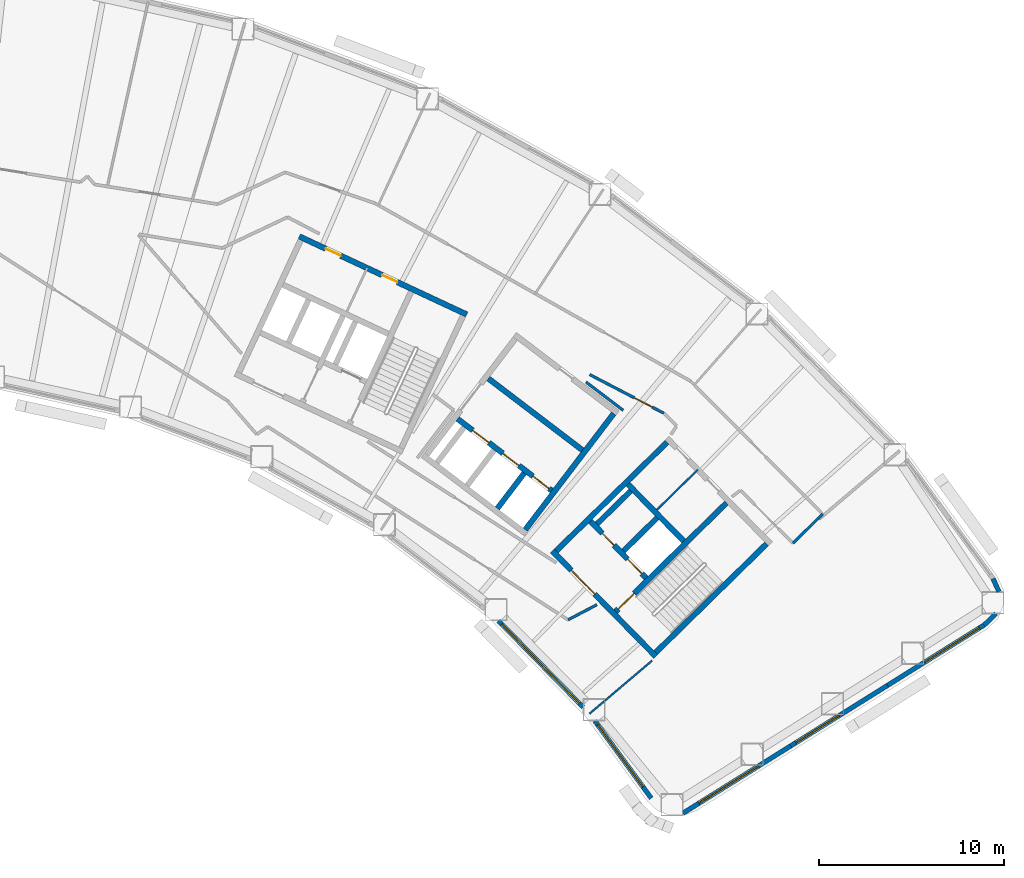
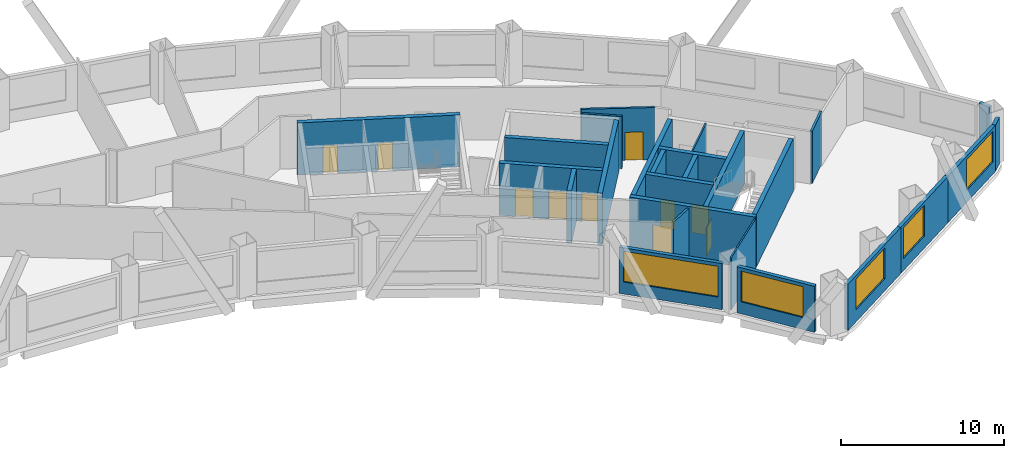
# One storey, part 7 of 12: 26 walls, 10 doors, 5 windows, 15 openings.
"""IFC4 building model written with IfcOpenShell, lengths in metres."""

from ifc_helpers import new_model, si_unit, direction, frame, frame_2d, origin, place, context, subcontext, project, spatial, rectangle, extrude, material, layer, layer_set, type_object, element, fill, save


model = new_model("IFC4")

# Units and contexts
model_context = context("Model", 3, precision=1e-05, world=origin(), true_north=direction((0.0, 1.0)))
body_context = subcontext(model_context, "Body", "Model", "MODEL_VIEW")
ifc_project = project(units=[si_unit("LENGTHUNIT", "METRE"), si_unit("AREAUNIT", "SQUARE_METRE"), si_unit("VOLUMEUNIT", "CUBIC_METRE"), si_unit("PLANEANGLEUNIT", "RADIAN"), si_unit("MASSUNIT", "GRAM", prefix="KILO")], contexts=[model_context])

# Site, building, storey
site_placement = place(None, origin())
site = spatial("IfcSite", under=ifc_project, at=site_placement, CompositionType="ELEMENT")
building_placement = place(site_placement, origin())
building = spatial("IfcBuilding", under=site, at=building_placement, Name="Tuul Gate Civic Tower", CompositionType="ELEMENT")
storey_placement = place(building_placement, frame((0.0, 0.0, 73.800048828125)))
storey = spatial("IfcBuildingStorey", under=building, at=storey_placement, Name="Level 16", CompositionType="ELEMENT", Elevation=73.800048828125)

# Wall, opening, door
ifc_material_1 = material(Name="Concrete C50/60", Category="concrete")
ifc_layer_1 = layer(ifc_material_1, 0.300048828125)
ifc_layer_set_1 = layer_set([ifc_layer_1], Name="Concrete C50/60")
wall_type_1 = type_object("IfcWallType", Name="Core wall C50/60", PredefinedType="SHEAR", material=ifc_layer_set_1)
wall_1_placement = place(storey_placement, frame((48.22509765625, -18.327880859375, 0.0), z_axis=(0.0, 0.0, 1.0), x_axis=(-0.700021979774, 0.714121297703, 0.0)))
wall_1 = element("IfcWall", 1, at=wall_1_placement, inside=storey, type_object=wall_type_1, Name="Core wall", PredefinedType="SHEAR", context=body_context, shape_type="SweptSolid", body=[
    extrude(rectangle(XDim=8.0, YDim=0.300048828125, at=frame_2d((4.0, 0.0))), origin(), (0.0, 0.0, 1.0), 3.89990234375),
])
opening_1_placement = place(wall_1_placement, frame((4.72509765625, 0.0, 0.0)))
opening_1 = element("IfcOpeningElement", 2, at=opening_1_placement, cuts=wall_1, Name="Opening LB-E1-LOBBY-1", PredefinedType="OPENING", context=body_context, shape_type="SweptSolid", body=[
    extrude(rectangle(XDim=1.800048828125, YDim=2.10009765625, at=frame_2d((0.89990234375, 1.050048828125))), frame((0.0, 0.16015625, 0.0), z_axis=(0.0, -1.0, 0.0), x_axis=(1.0, 0.0, 0.0)), (0.0, 0.0, 1.0), 0.320068359375),
])
ifc_material_2 = material(Name="Steel", Category="steel")
door_type_1 = type_object("IfcDoorType", Name="Lobby door", OperationType="DOUBLE_DOOR_SINGLE_SWING", PredefinedType="DOOR", material=ifc_material_2)
door_1_placement = place(opening_1_placement, frame((1.800048828125, 0.0, 0.0), z_axis=(0.0, 0.0, 1.0), x_axis=(-1.0, 0.0, 0.0)))
door_1 = element("IfcDoor", 3, at=door_1_placement, inside=storey, type_object=door_type_1, Name="Lobby door E1-LOBBY", OperationType="DOUBLE_DOOR_SINGLE_SWING", OverallHeight=2.10009765625, OverallWidth=1.800048828125, PredefinedType="DOOR", context=body_context, shape_type="SweptSolid", body=[
    extrude(rectangle(XDim=1.800048828125, YDim=2.10009765625, at=frame_2d((0.900146484375, 1.050048828125))), frame((0.0, 0.02490234375, 0.0), z_axis=(0.0, -1.0, 0.0), x_axis=(1.0, 0.0, 0.0)), (0.0, 0.0, 1.0), 0.050048828125),
])
fill(opening_1, door_1)

# Wall, openings, doors
wall_2_placement = place(storey_placement, frame((47.701904296875, -14.079833984375, 0.0), z_axis=(0.0, 0.0, 1.0), x_axis=(-0.700002721075, 0.714140175657, 0.0)))
wall_2 = element("IfcWall", 4, at=wall_2_placement, inside=storey, type_object=wall_type_1, Name="Core wall", PredefinedType="SHEAR", context=body_context, shape_type="SweptSolid", body=[
    extrude(rectangle(XDim=4.300048828125, YDim=0.300048828125, at=frame_2d((2.14990234375, 0.0))), origin(), (0.0, 0.0, 1.0), 3.89990234375),
])
opening_2_placement = place(wall_2_placement, frame((0.324951171875, 0.0, 0.0)))
opening_2 = element("IfcOpeningElement", 5, at=opening_2_placement, cuts=wall_2, Name="Opening LD-L4", PredefinedType="OPENING", context=body_context, shape_type="SweptSolid", body=[
    extrude(rectangle(XDim=1.10009765625, YDim=2.10009765625, at=frame_2d((0.550048828125, 1.050048828125))), frame((0.0, 0.16015625, 0.0), z_axis=(0.0, -1.0, 0.0), x_axis=(1.0, 0.0, 0.0)), (0.0, 0.0, 1.0), 0.320068359375),
])
opening_3_placement = place(wall_2_placement, frame((2.47509765625, 0.0, 0.0)))
opening_3 = element("IfcOpeningElement", 6, at=opening_3_placement, cuts=wall_2, Name="Opening FB-E1A2", PredefinedType="OPENING", context=body_context, shape_type="SweptSolid", body=[
    extrude(rectangle(XDim=0.89990234375, YDim=2.10009765625, at=frame_2d((0.449951171875, 1.050048828125))), frame((0.0, 0.16015625, 0.0), z_axis=(0.0, -1.0, 0.0), x_axis=(1.0, 0.0, 0.0)), (0.0, 0.0, 1.0), 0.320068359375),
])
ifc_material_3 = material(Name="Stainless steel", Category="steel")
door_type_2 = type_object("IfcDoorType", Name="Landing door", OperationType="DOUBLE_DOOR_SLIDING", PredefinedType="DOOR", material=ifc_material_3)
door_2_placement = place(opening_2_placement, origin())
door_2 = element("IfcDoor", 7, at=door_2_placement, inside=storey, type_object=door_type_2, Name="Low-rise lift L4 landing door", OperationType="DOUBLE_DOOR_SLIDING", OverallHeight=2.10009765625, OverallWidth=1.10009765625, PredefinedType="DOOR", context=body_context, shape_type="SweptSolid", body=[
    extrude(rectangle(XDim=1.10009765625, YDim=2.10009765625, at=frame_2d((0.550048828125, 1.050048828125))), frame((0.0, 0.02490234375, 0.0), z_axis=(0.0, -1.0, 0.0), x_axis=(1.0, 0.0, 0.0)), (0.0, 0.0, 1.0), 0.050048828125),
])
fill(opening_2, door_2)
ifc_material_4 = material(Name="Steel", Category="steel")
door_type_3 = type_object("IfcDoorType", Name="Store door", OperationType="NOTDEFINED", PredefinedType="DOOR", material=ifc_material_4)
door_3_placement = place(opening_3_placement, frame((0.89990234375, 0.0, 0.0), z_axis=(0.0, 0.0, 1.0), x_axis=(-1.0, 0.0, 0.0)))
door_3 = element("IfcDoor", 8, at=door_3_placement, inside=storey, type_object=door_type_3, Name="Store door E1A2", OperationType="SINGLE_SWING_LEFT", OverallHeight=2.10009765625, OverallWidth=0.89990234375, PredefinedType="DOOR", context=body_context, shape_type="SweptSolid", body=[
    extrude(rectangle(XDim=0.89990234375, YDim=2.10009765625, at=frame_2d((0.449951171875, 1.050048828125))), frame((0.0, 0.02490234375, 0.0), z_axis=(0.0, -1.0, 0.0), x_axis=(1.0, 0.0, 0.0)), (0.0, 0.0, 1.0), 0.050048828125),
])
fill(opening_3, door_3)

# Walls
wall_3_placement = place(storey_placement, frame((49.737060546875, -12.0849609375, 0.0), z_axis=(0.0, 0.0, 1.0), x_axis=(-0.700002721075, 0.714140175657, 0.0)))
element("IfcWall", 9, at=wall_3_placement, inside=storey, type_object=wall_type_1, Name="Core wall", PredefinedType="SHEAR", context=body_context, shape_type="SweptSolid", body=[
    extrude(rectangle(XDim=4.300048828125, YDim=0.300048828125, at=frame_2d((2.14990234375, 0.0))), origin(), (0.0, 0.0, 1.0), 3.89990234375),
])
wall_4_placement = place(storey_placement, frame((48.227294921875, -18.115966796875, 0.0), z_axis=(0.0, 0.0, 1.0), x_axis=(0.714105315431, 0.700038283577, 0.0)))
element("IfcWall", 10, at=wall_4_placement, inside=storey, type_object=wall_type_1, Name="Core wall", PredefinedType="SHEAR", context=body_context, shape_type="SweptSolid", body=[
    extrude(rectangle(XDim=8.400146484375, YDim=0.300048828125, at=frame_2d((4.2001953125, 0.0))), origin(), (0.0, 0.0, 1.0), 3.89990234375),
])

# Wall, opening, door
wall_5_placement = place(storey_placement, frame((46.05712890625, -15.902099609375, 0.0), z_axis=(0.0, 0.0, 1.0), x_axis=(0.714134086973, 0.700008932674, 0.0)))
wall_5 = element("IfcWall", 11, at=wall_5_placement, inside=storey, type_object=wall_type_1, Name="Core wall", PredefinedType="SHEAR", context=body_context, shape_type="SweptSolid", body=[
    extrude(rectangle(XDim=8.400146484375, YDim=0.300048828125, at=frame_2d((4.2001953125, 0.0))), origin(), (0.0, 0.0, 1.0), 3.89990234375),
])
opening_4_placement = place(wall_5_placement, frame((0.199951171875, 0.0, 0.0)))
opening_4 = element("IfcOpeningElement", 12, at=opening_4_placement, cuts=wall_5, Name="Opening SD-ST-3", PredefinedType="OPENING", context=body_context, shape_type="SweptSolid", body=[
    extrude(rectangle(XDim=1.199951171875, YDim=2.10009765625, at=frame_2d((0.60009765625, 1.050048828125))), frame((0.0, 0.16015625, 0.0), z_axis=(0.0, -1.0, 0.0), x_axis=(1.0, 0.0, 0.0)), (0.0, 0.0, 1.0), 0.320068359375),
])
ifc_material_5 = material(Name="Steel", Category="steel")
door_type_4 = type_object("IfcDoorType", Name="Stair door", OperationType="NOTDEFINED", PredefinedType="DOOR", material=ifc_material_5)
door_4_placement = place(opening_4_placement, origin())
door_4 = element("IfcDoor", 13, at=door_4_placement, inside=storey, type_object=door_type_4, Name="Stair door ST-3", OperationType="SINGLE_SWING_LEFT", OverallHeight=2.10009765625, OverallWidth=1.199951171875, PredefinedType="DOOR", context=body_context, shape_type="SweptSolid", body=[
    extrude(rectangle(XDim=1.199951171875, YDim=2.10009765625, at=frame_2d((0.60009765625, 1.050048828125))), frame((0.0, 0.02490234375, 0.0), z_axis=(0.0, -1.0, 0.0), x_axis=(1.0, 0.0, 0.0)), (0.0, 0.0, 1.0), 0.050048828125),
])
fill(opening_4, door_4)

# Walls
wall_6_placement = place(storey_placement, frame((46.47900390625, -12.617919921875, 0.0), z_axis=(0.0, 0.0, 1.0), x_axis=(0.71410944159, 0.700034074479, 0.0)))
element("IfcWall", 14, at=wall_6_placement, inside=storey, type_object=wall_type_1, Name="Core wall", PredefinedType="SHEAR", context=body_context, shape_type="SweptSolid", body=[
    extrude(rectangle(XDim=2.5498046875, YDim=0.300048828125, at=frame_2d((1.27490234375, 0.0))), origin(), (0.0, 0.0, 1.0), 3.89990234375),
])
wall_7_placement = place(storey_placement, frame((45.0439453125, -11.154052734375, 0.0), z_axis=(0.0, 0.0, 1.0), x_axis=(0.714108498262, 0.700035036773, 0.0)))
element("IfcWall", 15, at=wall_7_placement, inside=storey, type_object=wall_type_1, Name="Core wall", PredefinedType="SHEAR", context=body_context, shape_type="SweptSolid", body=[
    extrude(rectangle(XDim=2.550048828125, YDim=0.300048828125, at=frame_2d((1.27490234375, 0.0))), origin(), (0.0, 0.0, 1.0), 3.89990234375),
])
wall_8_placement = place(storey_placement, frame((42.837158203125, -12.616943359375, 0.0), z_axis=(0.0, 0.0, 1.0), x_axis=(0.714119844755, 0.700023461983, 0.0)))
element("IfcWall", 16, at=wall_8_placement, inside=storey, type_object=wall_type_1, Name="Core wall", PredefinedType="SHEAR", context=body_context, shape_type="SweptSolid", body=[
    extrude(rectangle(XDim=8.39990234375, YDim=0.300048828125, at=frame_2d((4.199951171875, 0.0))), origin(), (0.0, 0.0, 1.0), 3.89990234375),
])

# Wall, openings, doors
wall_9_placement = place(storey_placement, frame((37.993408203125, 0.181884765625, 0.0), z_axis=(0.0, 0.0, 1.0), x_axis=(-0.906310338845, 0.422612789327, 0.0)))
wall_9 = element("IfcWall", 17, at=wall_9_placement, inside=storey, type_object=wall_type_1, Name="Core wall", PredefinedType="SHEAR", context=body_context, shape_type="SweptSolid", body=[
    extrude(rectangle(XDim=9.999755859375, YDim=0.300048828125, at=frame_2d((5.0, 0.0))), origin(), (0.0, 0.0, 1.0), 3.89990234375),
])
opening_5_placement = place(wall_9_placement, frame((4.14990234375, 0.0, 0.0)))
opening_5 = element("IfcOpeningElement", 18, at=opening_5_placement, cuts=wall_9, Name="Opening E-D41", PredefinedType="OPENING", context=body_context, shape_type="SweptSolid", body=[
    extrude(rectangle(XDim=0.89990234375, YDim=2.10009765625, at=frame_2d((0.449951171875, 1.050048828125))), frame((0.0, 0.16015625, 0.0), z_axis=(0.0, -1.0, 0.0), x_axis=(1.0, 0.0, 0.0)), (0.0, 0.0, 1.0), 0.320068359375),
])
opening_6_placement = place(wall_9_placement, frame((7.52490234375, 0.0, 0.0)))
opening_6 = element("IfcOpeningElement", 19, at=opening_6_placement, cuts=wall_9, Name="Opening E-D42", PredefinedType="OPENING", context=body_context, shape_type="SweptSolid", body=[
    extrude(rectangle(XDim=0.89990234375, YDim=2.10009765625, at=frame_2d((0.449951171875, 1.050048828125))), frame((0.0, 0.16015625, 0.0), z_axis=(0.0, -1.0, 0.0), x_axis=(1.0, 0.0, 0.0)), (0.0, 0.0, 1.0), 0.320068359375),
])
ifc_material_6 = material(Name="Timber door leaf", Category="wood")
door_type_5 = type_object("IfcDoorType", Name="Door D09", OperationType="NOTDEFINED", PredefinedType="DOOR", material=ifc_material_6)
door_5_placement = place(opening_5_placement, origin())
door_5 = element("IfcDoor", 20, at=door_5_placement, inside=storey, type_object=door_type_5, Name="Door E-D41", OperationType="SINGLE_SWING_LEFT", OverallHeight=2.10009765625, OverallWidth=0.89990234375, PredefinedType="DOOR", context=body_context, shape_type="SweptSolid", body=[
    extrude(rectangle(XDim=0.89990234375, YDim=2.10009765625, at=frame_2d((0.449951171875, 1.050048828125))), frame((0.0, 0.02490234375, 0.0), z_axis=(0.0, -1.0, 0.0), x_axis=(1.0, 0.0, 0.0)), (0.0, 0.0, 1.0), 0.050048828125),
])
fill(opening_5, door_5)
door_6_placement = place(opening_6_placement, origin())
door_6 = element("IfcDoor", 21, at=door_6_placement, inside=storey, type_object=door_type_5, Name="Door E-D42", OperationType="SINGLE_SWING_RIGHT", OverallHeight=2.10009765625, OverallWidth=0.89990234375, PredefinedType="DOOR", context=body_context, shape_type="SweptSolid", body=[
    extrude(rectangle(XDim=0.89990234375, YDim=2.10009765625, at=frame_2d((0.449951171875, 1.050048828125))), frame((0.0, 0.02490234375, 0.0), z_axis=(0.0, -1.0, 0.0), x_axis=(1.0, 0.0, 0.0)), (0.0, 0.0, 1.0), 0.050048828125),
])
fill(opening_6, door_6)

# Walls
ifc_material_7 = material(Name="Gypsum board partition")
ifc_layer_2 = layer(ifc_material_7, 0.14990234375)
ifc_layer_set_2 = layer_set([ifc_layer_2], Name="Gypsum board partition")
wall_type_2 = type_object("IfcWallType", Name="Corridor wall P150", PredefinedType="PARTITIONING", material=ifc_layer_set_2)
wall_10_placement = place(storey_placement, frame((55.658935546875, -12.204833984375, 0.0), z_axis=(0.0, 0.0, 1.0), x_axis=(0.709706810317, 0.70449715641, 0.0)))
element("IfcWall", 22, at=wall_10_placement, inside=storey, type_object=wall_type_2, Name="p006", PredefinedType="PARTITIONING", context=body_context, shape_type="SweptSolid", body=[
    extrude(rectangle(XDim=2.24951171875, YDim=0.14990234375, at=frame_2d((1.124755859375, 0.0))), origin(), (0.0, 0.0, 1.0), 3.89990234375),
])
wall_11_placement = place(storey_placement, frame((43.48095703125, -16.34619140625, 0.0), z_axis=(0.0, 0.0, 1.0), x_axis=(0.885572569937, 0.464501047765, 0.0)))
element("IfcWall", 23, at=wall_11_placement, inside=storey, type_object=wall_type_2, Name="p046", PredefinedType="PARTITIONING", context=body_context, shape_type="SweptSolid", body=[
    extrude(rectangle(XDim=1.75390625, YDim=0.14990234375, at=frame_2d((0.876953125, 0.0))), origin(), (0.0, 0.0, 1.0), 3.89990234375),
])
wall_12_placement = place(storey_placement, frame((44.446533203125, -3.47216796875, 0.0), z_axis=(0.0, 0.0, 1.0), x_axis=(0.79558004951, -0.605848483387, 0.0)))
element("IfcWall", 24, at=wall_12_placement, inside=storey, type_object=wall_type_2, Name="p060", PredefinedType="PARTITIONING", context=body_context, shape_type="SweptSolid", body=[
    extrude(rectangle(XDim=2.531005859375, YDim=0.14990234375, at=frame_2d((1.265625, 0.0))), origin(), (0.0, 0.0, 1.0), 3.89990234375),
])

# Wall, opening, door
wall_13_placement = place(storey_placement, frame((44.65283203125, -3.072509765625, 0.0), z_axis=(0.0, 0.0, 1.0), x_axis=(0.88685380694, -0.462050132687, 0.0)))
wall_13 = element("IfcWall", 25, at=wall_13_placement, inside=storey, type_object=wall_type_2, Name="p062", PredefinedType="PARTITIONING", context=body_context, shape_type="SweptSolid", body=[
    extrude(rectangle(XDim=4.529296875, YDim=0.14990234375, at=frame_2d((2.2646484375, 0.0))), origin(), (0.0, 0.0, 1.0), 3.89990234375),
])
opening_7_placement = place(wall_13_placement, frame((2.714599609375, 0.0, 0.0)))
opening_7 = element("IfcOpeningElement", 26, at=opening_7_placement, cuts=wall_13, Name="Opening E-D32", PredefinedType="OPENING", context=body_context, shape_type="SweptSolid", body=[
    extrude(rectangle(XDim=1.10009765625, YDim=2.10009765625, at=frame_2d((0.550048828125, 1.050048828125))), frame((0.0, 0.0849609375, 0.0), z_axis=(0.0, -1.0, 0.0), x_axis=(1.0, 0.0, 0.0)), (0.0, 0.0, 1.0), 0.169921875),
])
ifc_material_8 = material(Name="Timber door leaf", Category="wood")
door_type_6 = type_object("IfcDoorType", Name="Door D11", OperationType="NOTDEFINED", PredefinedType="DOOR", material=ifc_material_8)
door_7_placement = place(opening_7_placement, frame((1.10009765625, 0.0, 0.0), z_axis=(0.0, 0.0, 1.0), x_axis=(-1.0, 0.0, 0.0)))
door_7 = element("IfcDoor", 27, at=door_7_placement, inside=storey, type_object=door_type_6, Name="Door E-D32", OperationType="SINGLE_SWING_LEFT", OverallHeight=2.10009765625, OverallWidth=1.10009765625, PredefinedType="DOOR", context=body_context, shape_type="SweptSolid", body=[
    extrude(rectangle(XDim=1.10009765625, YDim=2.10009765625, at=frame_2d((0.550048828125, 1.050048828125))), frame((0.0, 0.02490234375, 0.0), z_axis=(0.0, -1.0, 0.0), x_axis=(1.0, 0.0, 0.0)), (0.0, 0.0, 1.0), 0.050048828125),
])
fill(opening_7, door_7)

# Walls
ifc_material_9 = material(Name="Precast concrete C40/50", Category="concrete")
ifc_layer_3 = layer(ifc_material_9, 0.25)
ifc_layer_set_3 = layer_set([ifc_layer_3], Name="Precast concrete C40/50")
wall_type_3 = type_object("IfcWallType", Name="External wall", PredefinedType="STANDARD", material=ifc_layer_set_3)
wall_14_placement = place(storey_placement, frame((65.99853515625, -16.634765625, 0.0), z_axis=(0.0, 0.0, 1.0), x_axis=(0.722211506859, 0.691672277426, 0.0)))
element("IfcWall", 28, at=wall_14_placement, inside=storey, type_object=wall_type_3, Name="External wall", PredefinedType="STANDARD", context=body_context, shape_type="SweptSolid", body=[
    extrude(rectangle(XDim=0.887451171875, YDim=0.25, at=frame_2d((0.44384765625, 0.0))), origin(), (0.0, 0.0, 1.0), 3.449951171875),
])
wall_15_placement = place(storey_placement, frame((66.803955078125, -14.821044921875, 0.0), z_axis=(0.0, 0.0, 1.0), x_axis=(-0.412280175097, 0.911057109748, 0.0)))
element("IfcWall", 29, at=wall_15_placement, inside=storey, type_object=wall_type_3, Name="External wall", PredefinedType="STANDARD", context=body_context, shape_type="SweptSolid", body=[
    extrude(rectangle(XDim=0.7734375, YDim=0.25, at=frame_2d((0.38671875, 0.0))), origin(), (0.0, 0.0, 1.0), 3.449951171875),
])

# Wall, opening, window
wall_16_placement = place(storey_placement, frame((39.70703125, -16.39599609375, 0.0), z_axis=(0.0, 0.0, 1.0), x_axis=(0.700096771337, -0.714047975114, 0.0)))
wall_16 = element("IfcWall", 30, at=wall_16_placement, inside=storey, type_object=wall_type_3, Name="External wall", PredefinedType="STANDARD", context=body_context, shape_type="SweptSolid", body=[
    extrude(rectangle(XDim=6.544921875, YDim=0.25, at=frame_2d((3.2724609375, 0.0))), origin(), (0.0, 0.0, 1.0), 3.449951171875),
])
opening_8_placement = place(wall_16_placement, frame((0.27490234375, 0.0, 0.89990234375)))
opening_8 = element("IfcOpeningElement", 31, at=opening_8_placement, cuts=wall_16, Name="Opening W26", PredefinedType="OPENING", context=body_context, shape_type="SweptSolid", body=[
    extrude(rectangle(XDim=6.0, YDim=2.300048828125, at=frame_2d((3.0, 1.14990234375))), frame((0.0, 0.135009765625, 0.0), z_axis=(0.0, -1.0, 0.0), x_axis=(1.0, 0.0, 0.0)), (0.0, 0.0, 1.0), 0.27001953125),
])
ifc_material_10 = material(Name="Glass", Category="glass")
window_type_1 = type_object("IfcWindowType", Name="Window W26 6000 x 2300", PartitioningType="SINGLE_PANEL", PredefinedType="WINDOW", material=ifc_material_10)
window_1_placement = place(opening_8_placement, origin())
window_1 = element("IfcWindow", 32, at=window_1_placement, inside=storey, type_object=window_type_1, Name="Window", OverallHeight=2.300048828125, OverallWidth=6.0, PartitioningType="SINGLE_PANEL", PredefinedType="WINDOW", context=body_context, shape_type="SweptSolid", body=[
    extrude(rectangle(XDim=6.0, YDim=2.300048828125, at=frame_2d((3.0, 1.14990234375))), frame((0.0, 0.030029296875, 0.0), z_axis=(0.0, -1.0, 0.0), x_axis=(1.0, 0.0, 0.0)), (0.0, 0.0, 1.0), 0.06005859375),
])
fill(opening_8, window_1)

wall_17_placement = place(storey_placement, frame((44.925537109375, -21.818115234375, 0.0), z_axis=(0.0, 0.0, 1.0), x_axis=(0.589865366451, -0.807501609572, 0.0)))
wall_17 = element("IfcWall", 33, at=wall_17_placement, inside=storey, type_object=wall_type_3, Name="External wall", PredefinedType="STANDARD", context=body_context, shape_type="SweptSolid", body=[
    extrude(rectangle(XDim=5.181396484375, YDim=0.25, at=frame_2d((2.5908203125, 0.0))), origin(), (0.0, 0.0, 1.0), 3.449951171875),
])
opening_9_placement = place(wall_17_placement, frame((0.27880859375, 0.0, 0.89990234375)))
opening_9 = element("IfcOpeningElement", 34, at=opening_9_placement, cuts=wall_17, Name="Opening W25", PredefinedType="OPENING", context=body_context, shape_type="SweptSolid", body=[
    extrude(rectangle(XDim=4.14990234375, YDim=2.300048828125, at=frame_2d((2.074951171875, 1.14990234375))), frame((0.0, 0.135009765625, 0.0), z_axis=(0.0, -1.0, 0.0), x_axis=(1.0, 0.0, 0.0)), (0.0, 0.0, 1.0), 0.27001953125),
])
ifc_material_11 = material(Name="Glass", Category="glass")
window_type_2 = type_object("IfcWindowType", Name="Window W25 4150 x 2300", PartitioningType="SINGLE_PANEL", PredefinedType="WINDOW", material=ifc_material_11)
window_2_placement = place(opening_9_placement, origin())
window_2 = element("IfcWindow", 35, at=window_2_placement, inside=storey, type_object=window_type_2, Name="Window", OverallHeight=2.300048828125, OverallWidth=4.14990234375, PartitioningType="SINGLE_PANEL", PredefinedType="WINDOW", context=body_context, shape_type="SweptSolid", body=[
    extrude(rectangle(XDim=4.14990234375, YDim=2.300048828125, at=frame_2d((2.074951171875, 1.14990234375))), frame((0.0, 0.030029296875, 0.0), z_axis=(0.0, -1.0, 0.0), x_axis=(1.0, 0.0, 0.0)), (0.0, 0.0, 1.0), 0.06005859375),
])
fill(opening_9, window_2)

wall_18_placement = place(storey_placement, frame((49.708984375, -26.810302734375, 0.0), z_axis=(0.0, 0.0, 1.0), x_axis=(0.848044243862, 0.529925429144, 0.0)))
wall_18 = element("IfcWall", 36, at=wall_18_placement, inside=storey, type_object=wall_type_3, Name="External wall", PredefinedType="STANDARD", context=body_context, shape_type="SweptSolid", body=[
    extrude(rectangle(XDim=6.866455078125, YDim=0.25, at=frame_2d((3.43310546875, 0.0))), origin(), (0.0, 0.0, 1.0), 3.449951171875),
])
opening_10_placement = place(wall_18_placement, frame((1.0, 0.0, 0.89990234375)))
opening_10 = element("IfcOpeningElement", 37, at=opening_10_placement, cuts=wall_18, Name="Opening W100", PredefinedType="OPENING", context=body_context, shape_type="SweptSolid", body=[
    extrude(rectangle(XDim=3.800048828125, YDim=2.300048828125, at=frame_2d((1.89990234375, 1.14990234375))), frame((0.0, 0.135009765625, 0.0), z_axis=(0.0, -1.0, 0.0), x_axis=(1.0, 0.0, 0.0)), (0.0, 0.0, 1.0), 0.27001953125),
])
ifc_material_12 = material(Name="Glass", Category="glass")
window_type_3 = type_object("IfcWindowType", Name="Window W100 3800 x 2300", PartitioningType="SINGLE_PANEL", PredefinedType="WINDOW", material=ifc_material_12)
window_3_placement = place(opening_10_placement, origin())
window_3 = element("IfcWindow", 38, at=window_3_placement, inside=storey, type_object=window_type_3, Name="Window", OverallHeight=2.300048828125, OverallWidth=3.800048828125, PartitioningType="SINGLE_PANEL", PredefinedType="WINDOW", context=body_context, shape_type="SweptSolid", body=[
    extrude(rectangle(XDim=3.800048828125, YDim=2.300048828125, at=frame_2d((1.89990234375, 1.14990234375))), frame((0.0, 0.030029296875, 0.0), z_axis=(0.0, -1.0, 0.0), x_axis=(1.0, 0.0, 0.0)), (0.0, 0.0, 1.0), 0.06005859375),
])
fill(opening_10, window_3)

wall_19_placement = place(storey_placement, frame((55.531982421875, -23.171630859375, 0.0), z_axis=(0.0, 0.0, 1.0), x_axis=(0.848053758074, 0.529910203164, 0.0)))
wall_19 = element("IfcWall", 39, at=wall_19_placement, inside=storey, type_object=wall_type_3, Name="External wall", PredefinedType="STANDARD", context=body_context, shape_type="SweptSolid", body=[
    extrude(rectangle(XDim=6.182861328125, YDim=0.25, at=frame_2d((3.09130859375, 0.0))), origin(), (0.0, 0.0, 1.0), 3.449951171875),
])
opening_11_placement = place(wall_19_placement, frame((0.330078125, 0.0, 0.89990234375)))
opening_11 = element("IfcOpeningElement", 40, at=opening_11_placement, cuts=wall_19, Name="Opening W30", PredefinedType="OPENING", context=body_context, shape_type="SweptSolid", body=[
    extrude(rectangle(XDim=2.75, YDim=2.300048828125, at=frame_2d((1.375, 1.14990234375))), frame((0.0, 0.135009765625, 0.0), z_axis=(0.0, -1.0, 0.0), x_axis=(1.0, 0.0, 0.0)), (0.0, 0.0, 1.0), 0.27001953125),
])
ifc_material_13 = material(Name="Glass", Category="glass")
window_type_4 = type_object("IfcWindowType", Name="Window 2750 x 2300", PartitioningType="SINGLE_PANEL", PredefinedType="WINDOW", material=ifc_material_13)
window_4_placement = place(opening_11_placement, origin())
window_4 = element("IfcWindow", 41, at=window_4_placement, inside=storey, type_object=window_type_4, Name="Window", OverallHeight=2.300048828125, OverallWidth=2.75, PartitioningType="SINGLE_PANEL", PredefinedType="WINDOW", context=body_context, shape_type="SweptSolid", body=[
    extrude(rectangle(XDim=2.75, YDim=2.300048828125, at=frame_2d((1.375, 1.14990234375))), frame((0.0, 0.030029296875, 0.0), z_axis=(0.0, -1.0, 0.0), x_axis=(1.0, 0.0, 0.0)), (0.0, 0.0, 1.0), 0.06005859375),
])
fill(opening_11, window_4)

wall_20_placement = place(storey_placement, frame((60.775390625, -19.895263671875, 0.0), z_axis=(0.0, 0.0, 1.0), x_axis=(0.848053758074, 0.529910203164, 0.0)))
wall_20 = element("IfcWall", 42, at=wall_20_placement, inside=storey, type_object=wall_type_3, Name="External wall", PredefinedType="STANDARD", context=body_context, shape_type="SweptSolid", body=[
    extrude(rectangle(XDim=6.182861328125, YDim=0.25, at=frame_2d((3.09130859375, 0.0))), origin(), (0.0, 0.0, 1.0), 3.449951171875),
])
opening_12_placement = place(wall_20_placement, frame((2.364013671875, 0.0, 0.89990234375)))
opening_12 = element("IfcOpeningElement", 43, at=opening_12_placement, cuts=wall_20, Name="Opening W74", PredefinedType="OPENING", context=body_context, shape_type="SweptSolid", body=[
    extrude(rectangle(XDim=3.5, YDim=2.300048828125, at=frame_2d((1.75, 1.14990234375))), frame((0.0, 0.135009765625, 0.0), z_axis=(0.0, -1.0, 0.0), x_axis=(1.0, 0.0, 0.0)), (0.0, 0.0, 1.0), 0.27001953125),
])
ifc_material_14 = material(Name="Glass", Category="glass")
window_type_5 = type_object("IfcWindowType", Name="Window 3500 x 2300", PartitioningType="SINGLE_PANEL", PredefinedType="WINDOW", material=ifc_material_14)
window_5_placement = place(opening_12_placement, origin())
window_5 = element("IfcWindow", 44, at=window_5_placement, inside=storey, type_object=window_type_5, Name="Window", OverallHeight=2.300048828125, OverallWidth=3.5, PartitioningType="SINGLE_PANEL", PredefinedType="WINDOW", context=body_context, shape_type="SweptSolid", body=[
    extrude(rectangle(XDim=3.5, YDim=2.300048828125, at=frame_2d((1.75, 1.14990234375))), frame((0.0, 0.030029296875, 0.0), z_axis=(0.0, -1.0, 0.0), x_axis=(1.0, 0.0, 0.0)), (0.0, 0.0, 1.0), 0.06005859375),
])
fill(opening_12, window_5)

# Wall, openings, doors
ifc_material_15 = material(Name="Concrete C40/50", Category="concrete")
ifc_layer_4 = layer(ifc_material_15, 0.300048828125)
ifc_layer_set_4 = layer_set([ifc_layer_4], Name="Concrete C40/50")
wall_type_4 = type_object("IfcWallType", Name="Lift shaft wall C40/50", PredefinedType="STANDARD", material=ifc_layer_set_4)
wall_21_placement = place(storey_placement, frame((42.5888671875, -9.34765625, 0.0), z_axis=(0.0, 0.0, 1.0), x_axis=(-0.795584062101, 0.605843214149, 0.0)))
wall_21 = element("IfcWall", 45, at=wall_21_placement, inside=storey, type_object=wall_type_4, Name="Shaft wall", PredefinedType="STANDARD", context=body_context, shape_type="SweptSolid", body=[
    extrude(rectangle(XDim=6.400146484375, YDim=0.300048828125, at=frame_2d((3.2001953125, 0.0))), origin(), (0.0, 0.0, 1.0), 3.89990234375),
])
opening_13_placement = place(wall_21_placement, frame((0.175048828125, 0.0, 0.0)))
opening_13 = element("IfcOpeningElement", 46, at=opening_13_placement, cuts=wall_21, Name="Opening LD-L1", PredefinedType="OPENING", context=body_context, shape_type="SweptSolid", body=[
    extrude(rectangle(XDim=1.10009765625, YDim=2.10009765625, at=frame_2d((0.550048828125, 1.050048828125))), frame((0.0, 0.16015625, 0.0), z_axis=(0.0, -1.0, 0.0), x_axis=(1.0, 0.0, 0.0)), (0.0, 0.0, 1.0), 0.320068359375),
])
opening_14_placement = place(wall_21_placement, frame((2.22509765625, 0.0, 0.0)))
opening_14 = element("IfcOpeningElement", 47, at=opening_14_placement, cuts=wall_21, Name="Opening LD-L2", PredefinedType="OPENING", context=body_context, shape_type="SweptSolid", body=[
    extrude(rectangle(XDim=1.10009765625, YDim=2.10009765625, at=frame_2d((0.550048828125, 1.050048828125))), frame((0.0, 0.16015625, 0.0), z_axis=(0.0, -1.0, 0.0), x_axis=(1.0, 0.0, 0.0)), (0.0, 0.0, 1.0), 0.320068359375),
])
opening_15_placement = place(wall_21_placement, frame((4.27490234375, 0.0, 0.0)))
opening_15 = element("IfcOpeningElement", 48, at=opening_15_placement, cuts=wall_21, Name="Opening LD-L3", PredefinedType="OPENING", context=body_context, shape_type="SweptSolid", body=[
    extrude(rectangle(XDim=1.10009765625, YDim=2.10009765625, at=frame_2d((0.550048828125, 1.050048828125))), frame((0.0, 0.16015625, 0.0), z_axis=(0.0, -1.0, 0.0), x_axis=(1.0, 0.0, 0.0)), (0.0, 0.0, 1.0), 0.320068359375),
])
door_8_placement = place(opening_13_placement, origin())
door_8 = element("IfcDoor", 49, at=door_8_placement, inside=storey, type_object=door_type_2, Name="Low-rise lift L1 landing door", OperationType="DOUBLE_DOOR_SLIDING", OverallHeight=2.10009765625, OverallWidth=1.10009765625, PredefinedType="DOOR", context=body_context, shape_type="SweptSolid", body=[
    extrude(rectangle(XDim=1.10009765625, YDim=2.10009765625, at=frame_2d((0.550048828125, 1.050048828125))), frame((0.0, 0.02490234375, 0.0), z_axis=(0.0, -1.0, 0.0), x_axis=(1.0, 0.0, 0.0)), (0.0, 0.0, 1.0), 0.050048828125),
])
fill(opening_13, door_8)
door_9_placement = place(opening_14_placement, origin())
door_9 = element("IfcDoor", 50, at=door_9_placement, inside=storey, type_object=door_type_2, Name="Low-rise lift L2 landing door", OperationType="DOUBLE_DOOR_SLIDING", OverallHeight=2.10009765625, OverallWidth=1.10009765625, PredefinedType="DOOR", context=body_context, shape_type="SweptSolid", body=[
    extrude(rectangle(XDim=1.10009765625, YDim=2.10009765625, at=frame_2d((0.550048828125, 1.050048828125))), frame((0.0, 0.02490234375, 0.0), z_axis=(0.0, -1.0, 0.0), x_axis=(1.0, 0.0, 0.0)), (0.0, 0.0, 1.0), 0.050048828125),
])
fill(opening_14, door_9)
door_10_placement = place(opening_15_placement, origin())
door_10 = element("IfcDoor", 51, at=door_10_placement, inside=storey, type_object=door_type_2, Name="Low-rise lift L3 landing door", OperationType="DOUBLE_DOOR_SLIDING", OverallHeight=2.10009765625, OverallWidth=1.10009765625, PredefinedType="DOOR", context=body_context, shape_type="SweptSolid", body=[
    extrude(rectangle(XDim=1.10009765625, YDim=2.10009765625, at=frame_2d((0.550048828125, 1.050048828125))), frame((0.0, 0.02490234375, 0.0), z_axis=(0.0, -1.0, 0.0), x_axis=(1.0, 0.0, 0.0)), (0.0, 0.0, 1.0), 0.050048828125),
])
fill(opening_15, door_10)

# Walls
wall_22_placement = place(storey_placement, frame((44.254638671875, -7.15966796875, 0.0), z_axis=(0.0, 0.0, 1.0), x_axis=(-0.795565675562, 0.605867358312, 0.0)))
element("IfcWall", 52, at=wall_22_placement, inside=storey, type_object=wall_type_4, Name="Shaft wall", PredefinedType="STANDARD", context=body_context, shape_type="SweptSolid", body=[
    extrude(rectangle(XDim=6.400146484375, YDim=0.300048828125, at=frame_2d((3.2001953125, 0.0))), origin(), (0.0, 0.0, 1.0), 3.89990234375),
])
wall_23_placement = place(storey_placement, frame((41.163330078125, -11.46728515625, 0.0), z_axis=(0.0, 0.0, 1.0), x_axis=(0.605784332699, 0.795628897324, 0.0)))
element("IfcWall", 53, at=wall_23_placement, inside=storey, type_object=wall_type_4, Name="Shaft wall", PredefinedType="STANDARD", context=body_context, shape_type="SweptSolid", body=[
    extrude(rectangle(XDim=7.89990234375, YDim=0.300048828125, at=frame_2d((3.949951171875, 0.0))), origin(), (0.0, 0.0, 1.0), 3.89990234375),
])
wall_24_placement = place(storey_placement, frame((39.65185546875, -10.31640625, 0.0), z_axis=(0.0, 0.0, 1.0), x_axis=(0.605745892068, 0.79565816419, 0.0)))
element("IfcWall", 54, at=wall_24_placement, inside=storey, type_object=wall_type_4, Name="Shaft wall", PredefinedType="STANDARD", context=body_context, shape_type="SweptSolid", body=[
    extrude(rectangle(XDim=2.400146484375, YDim=0.300048828125, at=frame_2d((1.2001953125, 0.0))), origin(), (0.0, 0.0, 1.0), 3.89990234375),
])
ifc_material_16 = material(Name="Gypsum board partition")
ifc_layer_5 = layer(ifc_material_16, 0.10009765625)
ifc_layer_set_5 = layer_set([ifc_layer_5], Name="Gypsum board partition")
wall_type_5 = type_object("IfcWallType", Name="Partition P100", PredefinedType="PARTITIONING", material=ifc_layer_set_5)
wall_25_placement = place(storey_placement, frame((44.636962890625, -21.431396484375, 0.0), z_axis=(0.0, 0.0, 1.0), x_axis=(0.762857043272, 0.646567190267, 0.0)))
element("IfcWall", 55, at=wall_25_placement, inside=storey, type_object=wall_type_5, Name="p002", PredefinedType="PARTITIONING", context=body_context, shape_type="SweptSolid", body=[
    extrude(rectangle(XDim=4.446533203125, YDim=0.10009765625, at=frame_2d((2.22314453125, 0.0))), origin(), (0.0, 0.0, 1.0), 3.89990234375),
])
wall_26_placement = place(storey_placement, frame((48.28662109375, -10.390869140625, 0.0), z_axis=(0.0, 0.0, 1.0), x_axis=(0.714159293908, 0.699983216173, 0.0)))
element("IfcWall", 56, at=wall_26_placement, inside=storey, type_object=wall_type_5, Name="bE1-BAND-0", PredefinedType="PARTITIONING", context=body_context, shape_type="SweptSolid", body=[
    extrude(rectangle(XDim=3.099853515625, YDim=0.10009765625, at=frame_2d((1.5498046875, 0.0))), origin(), (0.0, 0.0, 1.0), 3.89990234375),
])

save(model, "model.ifc")
